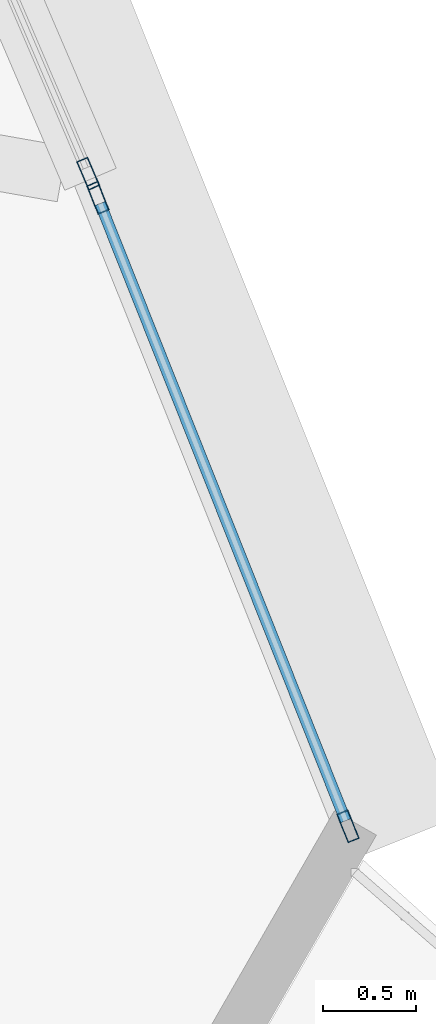
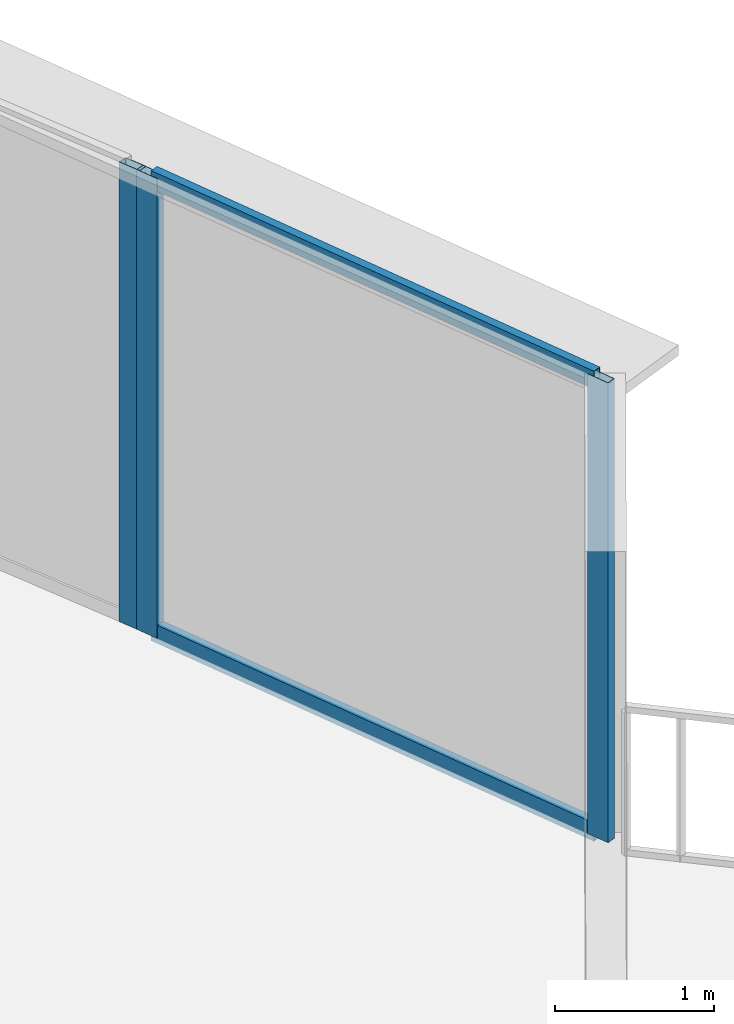
# One storey, part 22 of 37: 5 members, 2 elements without a shape of their own.
"""IFC4 building model written with IfcOpenShell, lengths in metres."""

from ifc_helpers import new_model, si_unit, direction, frame, origin, origin_2d, place, context, subcontext, project, spatial, hollow_rectangle, extrude, source, transform, mapped, material, layer, layer_set, material_profile, profile_set, type_object, element, aggregate, save


model = new_model("IFC4")

# Units and contexts
model_context = context("Model", 3, precision=1e-05, world=origin(), true_north=direction((0.0, 1.0)))
body_context = subcontext(model_context, "Body", "Model", "MODEL_VIEW")
ifc_project = project(units=[si_unit("LENGTHUNIT", "METRE"), si_unit("AREAUNIT", "SQUARE_METRE"), si_unit("VOLUMEUNIT", "CUBIC_METRE"), si_unit("PLANEANGLEUNIT", "RADIAN"), si_unit("MASSUNIT", "GRAM", prefix="KILO"), si_unit("THERMODYNAMICTEMPERATUREUNIT", "KELVIN"), si_unit("POWERUNIT", "WATT")], contexts=[model_context])

# Site, building, storey
site_placement = place(None, origin())
site = spatial("IfcSite", under=ifc_project, at=site_placement, CompositionType="ELEMENT")
building_placement = place(site_placement, origin())
building = spatial("IfcBuilding", under=site, at=building_placement, Name="Yunzhuo Pagoda Commons", CompositionType="ELEMENT")
storey_placement = place(building_placement, frame((0.0, 0.0, 88.780029296875)))
storey = spatial("IfcBuildingStorey", under=building, at=storey_placement, Name="L22", CompositionType="ELEMENT", Elevation=88.780029296875)

# Curtain wall, member
ifc_material = material(Name="Anodized aluminium 6063-T6", Category="aluminium")
ifc_layer = layer(ifc_material, 0.1650390625)
ifc_layer_set = layer_set([ifc_layer], Name="Anodized aluminium 6063-T6")
curtain_wall_type = type_object("IfcCurtainWallType", Name="CW-LOW Low-Zone Ribbon Curtain Wall", PredefinedType="NOTDEFINED", material=ifc_layer_set)
curtain_wall_1_placement = place(storey_placement, origin())
curtain_wall_1 = element("IfcCurtainWall", 1, at=curtain_wall_1_placement, inside=storey, type_object=curtain_wall_type, Name="L22 curtain wall CW-L22-F2B2", PredefinedType="NOTDEFINED")
ifc_material_profile_1 = material_profile(ifc_material, hollow_rectangle(XDim=0.06494140625, YDim=0.1650390625, WallThickness=0.00390625, at=origin_2d()), Name="Anodized aluminium 6063-T6")
ifc_profile_set_1 = profile_set([ifc_material_profile_1], Name="Anodized aluminium 6063-T6")
member_type_1 = type_object("IfcMemberType", Name="CW-LOW-M Mullion RHS 165x65x4", PredefinedType="MULLION", material=ifc_profile_set_1)
shared_shape_1 = source(origin(), body_context, "Body", "SweptSolid", [
    extrude(hollow_rectangle(XDim=0.06494140625, YDim=0.1650390625, WallThickness=0.00390625, at=origin_2d()), origin(), (0.0, 0.0, 1.0), 3.5400390625),
])
member_1_placement = place(storey_placement, frame((88.730224609375, 26.545654296875, 0.0), z_axis=(0.0, 0.0, 1.0), x_axis=(-0.919250024103, -0.39367422215, 0.0)))
member_1 = element("IfcMember", 2, at=member_1_placement, type_object=member_type_1, Name="CW mullion 1", PredefinedType="MULLION", context=body_context, shape_type="MappedRepresentation", body=[
    mapped(shared_shape_1, transform((0.0, 0.0, 0.0), scale=1.0)),
])
aggregate(curtain_wall_1, [member_1])

# Curtain wall, members
curtain_wall_2_placement = place(storey_placement, origin())
curtain_wall_2 = element("IfcCurtainWall", 3, at=curtain_wall_2_placement, inside=storey, type_object=curtain_wall_type, Name="L22 curtain wall CW-L22-F2B1", PredefinedType="NOTDEFINED")
member_2_placement = place(storey_placement, frame((90.12255859375, 23.0478515625, 0.0), z_axis=(0.0, 0.0, 1.0), x_axis=(-0.929170333828, -0.369651850711, 0.0)))
member_2 = element("IfcMember", 4, at=member_2_placement, type_object=member_type_1, Name="CW mullion 1", PredefinedType="MULLION", context=body_context, shape_type="MappedRepresentation", body=[
    mapped(shared_shape_1, transform((0.0, 0.0, 0.0), scale=1.0)),
])
member_3_placement = place(storey_placement, frame((88.782470703125, 26.416015625, 0.0), z_axis=(0.0, 0.0, 1.0), x_axis=(-0.929170333828, -0.369651850711, 0.0)))
member_3 = element("IfcMember", 5, at=member_3_placement, type_object=member_type_1, Name="CW mullion 2", PredefinedType="MULLION", context=body_context, shape_type="MappedRepresentation", body=[
    mapped(shared_shape_1, transform((0.0, 0.0, 0.0), scale=1.0)),
])
ifc_material_profile_2 = material_profile(ifc_material, hollow_rectangle(XDim=0.06005859375, YDim=0.139892578125, WallThickness=0.00341796875, at=origin_2d()), Name="Anodized aluminium 6063-T6")
ifc_profile_set_2 = profile_set([ifc_material_profile_2], Name="Anodized aluminium 6063-T6")
member_type_2 = type_object("IfcMemberType", Name="CW-LOW-T Transom RHS 140x60x3.5", PredefinedType="USERDEFINED", material=ifc_profile_set_2)
shared_shape_2 = source(origin(), body_context, "Body", "SweptSolid", [
    extrude(hollow_rectangle(XDim=0.06005859375, YDim=0.139892578125, WallThickness=0.00341796875, at=origin_2d()), origin(), (0.0, 0.0, 1.0), 3.56005859375),
])
member_4_placement = place(storey_placement, frame((90.1103515625, 23.077880859375, 0.030029296875), z_axis=(-0.369640073305, 0.929175019147, 0.0), x_axis=(-0.929175019147, -0.369640073305, 0.0)))
member_4 = element("IfcMember", 6, at=member_4_placement, type_object=member_type_2, Name="CW transom 1.1", ObjectType="TRANSOM", PredefinedType="USERDEFINED", context=body_context, shape_type="MappedRepresentation", body=[
    mapped(shared_shape_2, transform((0.0, 0.0, 0.0), scale=1.0)),
])
member_5_placement = place(storey_placement, frame((90.1103515625, 23.077880859375, 3.510009765625), z_axis=(-0.369640073305, 0.929175019147, 0.0), x_axis=(-0.929175019147, -0.369640073305, 0.0)))
member_5 = element("IfcMember", 7, at=member_5_placement, type_object=member_type_2, Name="CW transom 1.2", ObjectType="TRANSOM", PredefinedType="USERDEFINED", context=body_context, shape_type="MappedRepresentation", body=[
    mapped(shared_shape_2, transform((0.0, 0.0, 0.0), scale=1.0)),
])
aggregate(curtain_wall_2, [member_2, member_3, member_4, member_5])

save(model, "model.ifc")
